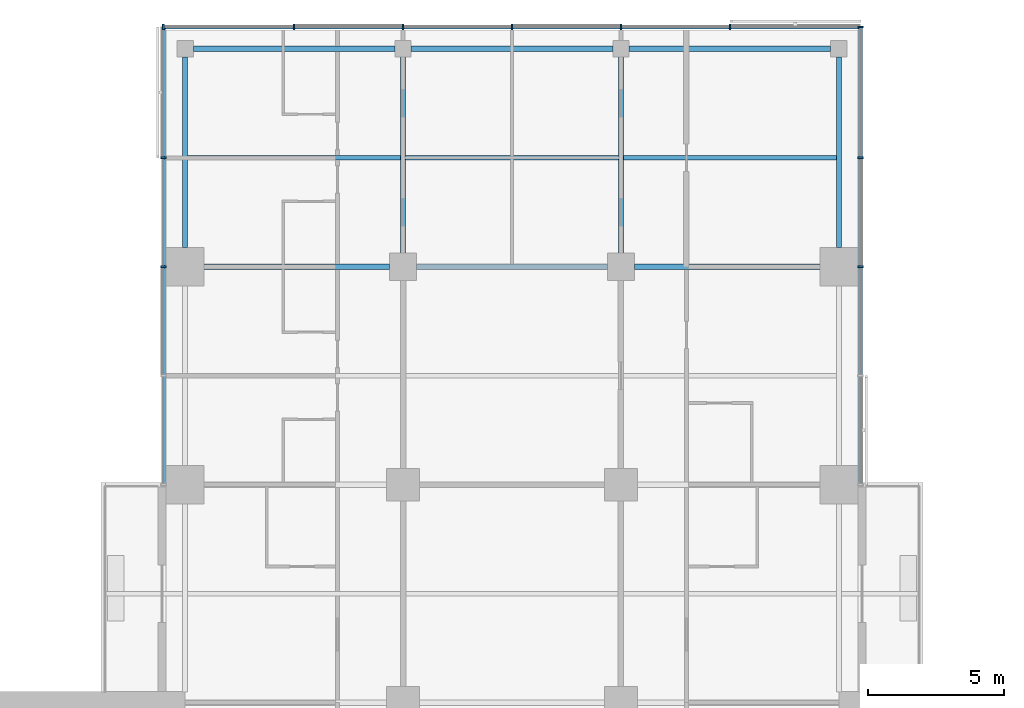
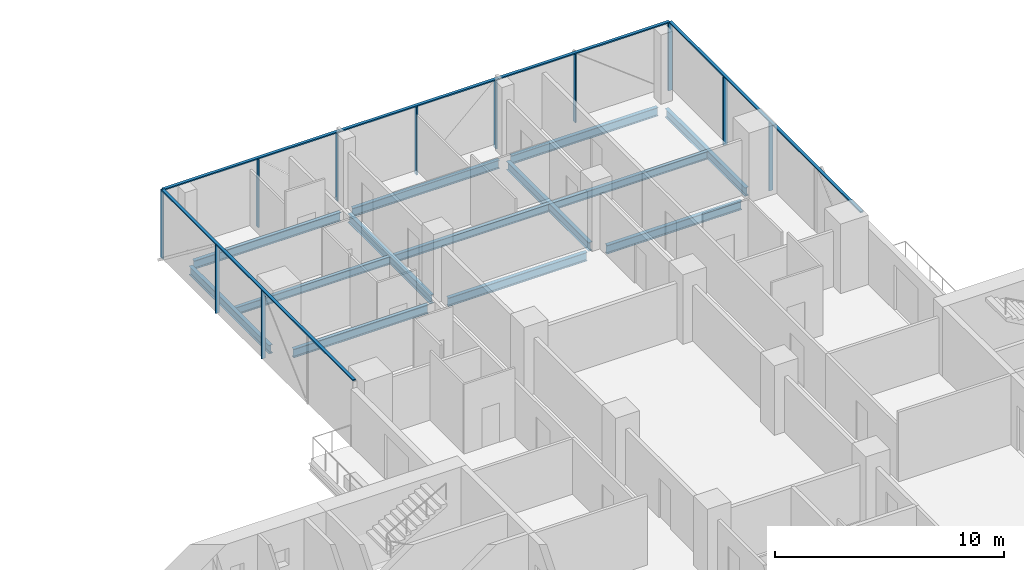
# One storey, part 12 of 27: 14 members, 13 beams, 3 elements without a shape of their own.
"""IFC4 building model written with IfcOpenShell, lengths in metres."""

from ifc_helpers import new_model, si_unit, direction, frame, origin, origin_2d, place, context, subcontext, project, spatial, rectangle, i_section, extrude, material, material_profile, profile_set, type_object, element, aggregate, save


model = new_model("IFC4")

# Units and contexts
model_context = context("Model", 3, precision=1e-05, world=origin(), true_north=direction((0.0, 1.0)))
body_context = subcontext(model_context, "Body", "Model", "MODEL_VIEW")
ifc_project = project(units=[si_unit("LENGTHUNIT", "METRE"), si_unit("AREAUNIT", "SQUARE_METRE"), si_unit("VOLUMEUNIT", "CUBIC_METRE"), si_unit("PLANEANGLEUNIT", "RADIAN"), si_unit("MASSUNIT", "GRAM", prefix="KILO")], contexts=[model_context])

# Site, building, storey
site_placement = place(None, origin())
site = spatial("IfcSite", under=ifc_project, at=site_placement, CompositionType="ELEMENT")
building_placement = place(site_placement, origin())
building = spatial("IfcBuilding", under=site, at=building_placement, Name="Crosswind Convention Tower", CompositionType="ELEMENT")
storey_placement = place(building_placement, frame((0.0, 0.0, 94.199951171875)))
storey = spatial("IfcBuildingStorey", under=building, at=storey_placement, Name="L18", CompositionType="ELEMENT", Elevation=94.199951171875)

# Beams
ifc_material_1 = material(Name="Steel S355", Category="steel")
ifc_material_profile_1 = material_profile(ifc_material_1, i_section(OverallWidth=0.1904296875, OverallDepth=0.457275390625, WebThickness=0.009033203125, FlangeThickness=0.014404296875, FilletRadius=0.01025390625, at=origin_2d()), Name="UB 457x191x75")
ifc_profile_set_1 = profile_set([ifc_material_profile_1], Name="Steel S355")
beam_type_1 = type_object("IfcBeamType", Name="Edge beam UB 457x191x75", PredefinedType="SPANDREL", material=ifc_profile_set_1)
beam_1_placement = place(storey_placement, frame((113.0, 128.699951171875, -0.508544921875), z_axis=(0.0, 1.0, 0.0), x_axis=(-1.0, 0.0, 0.0)))
element("IfcBeam", 1, at=beam_1_placement, inside=storey, type_object=beam_type_1, Name="B17 L18 edge beam 11", PredefinedType="SPANDREL", context=body_context, shape_type="SweptSolid", body=[
    extrude(i_section(OverallWidth=0.1904296875, OverallDepth=0.457275390625, WebThickness=0.009033203125, FlangeThickness=0.014404296875, FilletRadius=0.01025390625, at=origin_2d()), origin(), (0.0, 0.0, 1.0), 7.0),
])
for number, where, z_axis, x_axis, name in (
    (2, (113.300048828125, 136.0, -0.508544921875), (1.0, 0.0, 0.0), (0.0, 1.0, 0.0), "B17 L18 edge beam 13"),
    (3, (121.300048828125, 136.0, -0.508544921875), (1.0, 0.0, 0.0), (0.0, 1.0, 0.0), "B17 L18 edge beam 15"),
    (4, (129.300048828125, 136.0, -0.508544921875), (1.0, 0.0, 0.0), (0.0, 1.0, 0.0), "B17 L18 edge beam 17"),
):
    element("IfcBeam", number, at=place(storey_placement, frame(where, z_axis=z_axis, x_axis=x_axis)), inside=storey, type_object=beam_type_1, Name=name, PredefinedType="SPANDREL", context=body_context, shape_type="SweptSolid", body=[
        extrude(i_section(OverallWidth=0.1904296875, OverallDepth=0.457275390625, WebThickness=0.009033203125, FlangeThickness=0.014404296875, FilletRadius=0.01025390625, at=origin_2d()), origin(), (0.0, 0.0, 1.0), 7.39990234375),
    ])
beam_2_placement = place(storey_placement, frame((137.0, 128.699951171875, -0.508544921875), z_axis=(0.0, 1.0, 0.0), x_axis=(-1.0, 0.0, 0.0)))
element("IfcBeam", 5, at=beam_2_placement, inside=storey, type_object=beam_type_1, Name="B17 L18 edge beam 23", PredefinedType="SPANDREL", context=body_context, shape_type="SweptSolid", body=[
    extrude(i_section(OverallWidth=0.1904296875, OverallDepth=0.457275390625, WebThickness=0.009033203125, FlangeThickness=0.014404296875, FilletRadius=0.01025390625, at=origin_2d()), origin(), (0.0, 0.0, 1.0), 7.0),
])
ifc_material_profile_2 = material_profile(ifc_material_1, i_section(OverallWidth=0.19140625, OverallDepth=0.460205078125, WebThickness=0.010009765625, FlangeThickness=0.01611328125, FilletRadius=0.01025390625, at=origin_2d()), Name="UB 457x191x82")
ifc_profile_set_2 = profile_set([ifc_material_profile_2], Name="Steel S355")
beam_type_2 = type_object("IfcBeamType", Name="Girder UB 457x191x82", PredefinedType="BEAM", material=ifc_profile_set_2)
beam_3_placement = place(storey_placement, frame((113.699951171875, 128.0, -0.510009765625), z_axis=(1.0, 0.0, 0.0), x_axis=(0.0, 1.0, 0.0)))
element("IfcBeam", 6, at=beam_3_placement, inside=storey, type_object=beam_type_2, Name="B3 L18 girder 4", PredefinedType="BEAM", context=body_context, shape_type="SweptSolid", body=[
    extrude(i_section(OverallWidth=0.19140625, OverallDepth=0.460205078125, WebThickness=0.010009765625, FlangeThickness=0.01611328125, FilletRadius=0.01025390625, at=origin_2d()), origin(), (0.0, 0.0, 1.0), 6.800048828125),
])
beam_4_placement = place(storey_placement, frame((121.0, 128.5, -0.510009765625), z_axis=(0.0, 1.0, 0.0), x_axis=(-1.0, 0.0, 0.0)))
element("IfcBeam", 7, at=beam_4_placement, inside=storey, type_object=beam_type_2, Name="B3 L18 girder 13", PredefinedType="BEAM", context=body_context, shape_type="SweptSolid", body=[
    extrude(i_section(OverallWidth=0.19140625, OverallDepth=0.460205078125, WebThickness=0.010009765625, FlangeThickness=0.01611328125, FilletRadius=0.01025390625, at=origin_2d()), origin(), (0.0, 0.0, 1.0), 7.199951171875),
])
beam_5_placement = place(storey_placement, frame((121.5, 128.0, -0.510009765625), z_axis=(1.0, 0.0, 0.0), x_axis=(0.0, 1.0, 0.0)))
element("IfcBeam", 8, at=beam_5_placement, inside=storey, type_object=beam_type_2, Name="B3 L18 girder 15", PredefinedType="BEAM", context=body_context, shape_type="SweptSolid", body=[
    extrude(i_section(OverallWidth=0.19140625, OverallDepth=0.460205078125, WebThickness=0.010009765625, FlangeThickness=0.01611328125, FilletRadius=0.01025390625, at=origin_2d()), origin(), (0.0, 0.0, 1.0), 7.0),
])
beam_6_placement = place(storey_placement, frame((129.0, 128.5, -0.510009765625), z_axis=(0.0, 1.0, 0.0), x_axis=(-1.0, 0.0, 0.0)))
element("IfcBeam", 9, at=beam_6_placement, inside=storey, type_object=beam_type_2, Name="B3 L18 girder 30", PredefinedType="BEAM", context=body_context, shape_type="SweptSolid", body=[
    extrude(i_section(OverallWidth=0.19140625, OverallDepth=0.460205078125, WebThickness=0.010009765625, FlangeThickness=0.01611328125, FilletRadius=0.01025390625, at=origin_2d()), origin(), (0.0, 0.0, 1.0), 7.199951171875),
])
beam_7_placement = place(storey_placement, frame((129.5, 128.0, -0.510009765625), z_axis=(1.0, 0.0, 0.0), x_axis=(0.0, 1.0, 0.0)))
element("IfcBeam", 10, at=beam_7_placement, inside=storey, type_object=beam_type_2, Name="B3 L18 girder 32", PredefinedType="BEAM", context=body_context, shape_type="SweptSolid", body=[
    extrude(i_section(OverallWidth=0.19140625, OverallDepth=0.460205078125, WebThickness=0.010009765625, FlangeThickness=0.01611328125, FilletRadius=0.01025390625, at=origin_2d()), origin(), (0.0, 0.0, 1.0), 6.800048828125),
])

# Curtain wall, members
ifc_material_2 = material(Name="Aluminium unitised curtain wall", Category="aluminium")
curtain_wall_type = type_object("IfcCurtainWallType", Name="HOTEL UNITISED WALL 200", PredefinedType="USERDEFINED", material=ifc_material_2)
curtain_wall_1_placement = place(storey_placement, origin())
curtain_wall_1 = element("IfcCurtainWall", 11, at=curtain_wall_1_placement, inside=storey, type_object=curtain_wall_type, Name="CW2 L18 N-E 1", ObjectType="UNITISED", PredefinedType="USERDEFINED")
ifc_material_3 = material(Name="Aluminium mullion", Category="aluminium")
ifc_material_profile_3 = material_profile(ifc_material_3, rectangle(XDim=0.199951171875, YDim=0.06494140625, at=origin_2d()), Name="AL 200X65")
ifc_profile_set_3 = profile_set([ifc_material_profile_3], Name="Aluminium mullion")
member_type_1 = type_object("IfcMemberType", Name="MULLION 65X200", PredefinedType="MULLION", material=ifc_profile_set_3)
member_1_placement = place(storey_placement, frame((137.800048828125, 128.0, -0.280029296875), z_axis=(0.0, 0.0, 1.0), x_axis=(1.0, 0.0, 0.0)))
member_1 = element("IfcMember", 12, at=member_1_placement, type_object=member_type_1, Name="CW2 mullion 3", PredefinedType="MULLION", context=body_context, shape_type="SweptSolid", body=[
    extrude(rectangle(XDim=0.199951171875, YDim=0.06494140625, at=origin_2d()), origin(), (0.0, 0.0, 1.0), 3.635009765625),
])
member_2_placement = place(storey_placement, frame((137.800048828125, 132.0, -0.280029296875), z_axis=(0.0, 0.0, 1.0), x_axis=(1.0, 0.0, 0.0)))
member_2 = element("IfcMember", 13, at=member_2_placement, type_object=member_type_1, Name="CW2 mullion 4", PredefinedType="MULLION", context=body_context, shape_type="SweptSolid", body=[
    extrude(rectangle(XDim=0.199951171875, YDim=0.06494140625, at=origin_2d()), origin(), (0.0, 0.0, 1.0), 3.635009765625),
])
member_3_placement = place(storey_placement, frame((137.800048828125, 136.800048828125, -0.280029296875), z_axis=(0.0, 0.0, 1.0), x_axis=(1.0, 0.0, 0.0)))
member_3 = element("IfcMember", 14, at=member_3_placement, type_object=member_type_1, Name="CW2 mullion 5", PredefinedType="MULLION", context=body_context, shape_type="SweptSolid", body=[
    extrude(rectangle(XDim=0.199951171875, YDim=0.06494140625, at=origin_2d()), origin(), (0.0, 0.0, 1.0), 3.635009765625),
])

curtain_wall_2_placement = place(storey_placement, origin())
curtain_wall_2 = element("IfcCurtainWall", 15, at=curtain_wall_2_placement, inside=storey, type_object=curtain_wall_type, Name="CW2 L18 N-TIP 1", ObjectType="UNITISED", PredefinedType="USERDEFINED")
member_4_placement = place(storey_placement, frame((133.0, 136.800048828125, -0.280029296875), z_axis=(0.0, 0.0, 1.0), x_axis=(0.0, 1.0, 0.0)))
member_4 = element("IfcMember", 16, at=member_4_placement, type_object=member_type_1, Name="CW2 mullion 2", PredefinedType="MULLION", context=body_context, shape_type="SweptSolid", body=[
    extrude(rectangle(XDim=0.199951171875, YDim=0.06494140625, at=origin_2d()), origin(), (0.0, 0.0, 1.0), 3.635009765625),
])
member_5_placement = place(storey_placement, frame((129.0, 136.800048828125, -0.280029296875), z_axis=(0.0, 0.0, 1.0), x_axis=(0.0, 1.0, 0.0)))
member_5 = element("IfcMember", 17, at=member_5_placement, type_object=member_type_1, Name="CW2 mullion 3", PredefinedType="MULLION", context=body_context, shape_type="SweptSolid", body=[
    extrude(rectangle(XDim=0.199951171875, YDim=0.06494140625, at=origin_2d()), origin(), (0.0, 0.0, 1.0), 3.635009765625),
])
member_6_placement = place(storey_placement, frame((125.0, 136.800048828125, -0.280029296875), z_axis=(0.0, 0.0, 1.0), x_axis=(0.0, 1.0, 0.0)))
member_6 = element("IfcMember", 18, at=member_6_placement, type_object=member_type_1, Name="CW2 mullion 4", PredefinedType="MULLION", context=body_context, shape_type="SweptSolid", body=[
    extrude(rectangle(XDim=0.199951171875, YDim=0.06494140625, at=origin_2d()), origin(), (0.0, 0.0, 1.0), 3.635009765625),
])
member_7_placement = place(storey_placement, frame((121.0, 136.800048828125, -0.280029296875), z_axis=(0.0, 0.0, 1.0), x_axis=(0.0, 1.0, 0.0)))
member_7 = element("IfcMember", 19, at=member_7_placement, type_object=member_type_1, Name="CW2 mullion 5", PredefinedType="MULLION", context=body_context, shape_type="SweptSolid", body=[
    extrude(rectangle(XDim=0.199951171875, YDim=0.06494140625, at=origin_2d()), origin(), (0.0, 0.0, 1.0), 3.635009765625),
])
member_8_placement = place(storey_placement, frame((117.0, 136.800048828125, -0.280029296875), z_axis=(0.0, 0.0, 1.0), x_axis=(0.0, 1.0, 0.0)))
member_8 = element("IfcMember", 20, at=member_8_placement, type_object=member_type_1, Name="CW2 mullion 6", PredefinedType="MULLION", context=body_context, shape_type="SweptSolid", body=[
    extrude(rectangle(XDim=0.199951171875, YDim=0.06494140625, at=origin_2d()), origin(), (0.0, 0.0, 1.0), 3.635009765625),
])
member_9_placement = place(storey_placement, frame((112.199951171875, 136.800048828125, -0.280029296875), z_axis=(0.0, 0.0, 1.0), x_axis=(0.0, 1.0, 0.0)))
member_9 = element("IfcMember", 21, at=member_9_placement, type_object=member_type_1, Name="CW2 mullion 7", PredefinedType="MULLION", context=body_context, shape_type="SweptSolid", body=[
    extrude(rectangle(XDim=0.199951171875, YDim=0.06494140625, at=origin_2d()), origin(), (0.0, 0.0, 1.0), 3.635009765625),
])

curtain_wall_3_placement = place(storey_placement, origin())
curtain_wall_3 = element("IfcCurtainWall", 22, at=curtain_wall_3_placement, inside=storey, type_object=curtain_wall_type, Name="CW2 L18 N-W 1", ObjectType="UNITISED", PredefinedType="USERDEFINED")
member_10_placement = place(storey_placement, frame((112.199951171875, 132.0, -0.280029296875), z_axis=(0.0, 0.0, 1.0), x_axis=(-1.0, 0.0, 0.0)))
member_10 = element("IfcMember", 23, at=member_10_placement, type_object=member_type_1, Name="CW2 mullion 2", PredefinedType="MULLION", context=body_context, shape_type="SweptSolid", body=[
    extrude(rectangle(XDim=0.199951171875, YDim=0.06494140625, at=origin_2d()), origin(), (0.0, 0.0, 1.0), 3.635009765625),
])
member_11_placement = place(storey_placement, frame((112.199951171875, 128.0, -0.280029296875), z_axis=(0.0, 0.0, 1.0), x_axis=(-1.0, 0.0, 0.0)))
member_11 = element("IfcMember", 24, at=member_11_placement, type_object=member_type_1, Name="CW2 mullion 3", PredefinedType="MULLION", context=body_context, shape_type="SweptSolid", body=[
    extrude(rectangle(XDim=0.199951171875, YDim=0.06494140625, at=origin_2d()), origin(), (0.0, 0.0, 1.0), 3.635009765625),
])

# Beams
ifc_material_profile_4 = material_profile(ifc_material_1, i_section(OverallWidth=0.177734375, OverallDepth=0.406494140625, WebThickness=0.0078125, FlangeThickness=0.0126953125, FilletRadius=0.01025390625, at=origin_2d()), Name="UB 406x178x60")
ifc_profile_set_4 = profile_set([ifc_material_profile_4], Name="Steel S355")
beam_type_3 = type_object("IfcBeamType", Name="Secondary beam UB 406x178x60", PredefinedType="JOIST", material=ifc_profile_set_4)
beam_8_placement = place(storey_placement, frame((113.09521484375, 132.0, -0.483154296875), z_axis=(1.0, 0.0, 0.0), x_axis=(0.0, 1.0, 0.0)))
element("IfcBeam", 25, at=beam_8_placement, inside=storey, type_object=beam_type_3, Name="B10 L18 secondary beam 12", PredefinedType="JOIST", context=body_context, shape_type="SweptSolid", body=[
    extrude(i_section(OverallWidth=0.177734375, OverallDepth=0.406494140625, WebThickness=0.0078125, FlangeThickness=0.0126953125, FilletRadius=0.01025390625, at=origin_2d()), origin(), (0.0, 0.0, 1.0), 7.80908203125),
])
beam_9_placement = place(storey_placement, frame((121.095703125, 132.0, -0.483154296875), z_axis=(1.0, 0.0, 0.0), x_axis=(0.0, 1.0, 0.0)))
element("IfcBeam", 26, at=beam_9_placement, inside=storey, type_object=beam_type_3, Name="B10 L18 secondary beam 21", PredefinedType="JOIST", context=body_context, shape_type="SweptSolid", body=[
    extrude(i_section(OverallWidth=0.177734375, OverallDepth=0.406494140625, WebThickness=0.0078125, FlangeThickness=0.0126953125, FilletRadius=0.01025390625, at=origin_2d()), origin(), (0.0, 0.0, 1.0), 7.80859375),
])
beam_10_placement = place(storey_placement, frame((129.095703125, 132.0, -0.483154296875), z_axis=(1.0, 0.0, 0.0), x_axis=(0.0, 1.0, 0.0)))
element("IfcBeam", 27, at=beam_10_placement, inside=storey, type_object=beam_type_3, Name="B10 L18 secondary beam 30", PredefinedType="JOIST", context=body_context, shape_type="SweptSolid", body=[
    extrude(i_section(OverallWidth=0.177734375, OverallDepth=0.406494140625, WebThickness=0.0078125, FlangeThickness=0.0126953125, FilletRadius=0.01025390625, at=origin_2d()), origin(), (0.0, 0.0, 1.0), 7.80908203125),
])

# Member
ifc_material_4 = material(Name="Aluminium transom", Category="aluminium")
ifc_material_profile_5 = material_profile(ifc_material_4, rectangle(XDim=0.14990234375, YDim=0.06494140625, at=origin_2d()), Name="AL 150X65")
ifc_profile_set_5 = profile_set([ifc_material_profile_5], Name="Aluminium transom")
member_type_2 = type_object("IfcMemberType", Name="TRANSOM 65X150", PredefinedType="USERDEFINED", material=ifc_profile_set_5)
member_12_placement = place(storey_placement, frame((137.800048828125, 120.032470703125, 3.387451171875), z_axis=(0.0, 1.0, 0.0), x_axis=(-1.0, 0.0, 0.0)))
member_12 = element("IfcMember", 28, at=member_12_placement, type_object=member_type_2, Name="CW2 transom", ObjectType="TRANSOM", PredefinedType="USERDEFINED", context=body_context, shape_type="SweptSolid", body=[
    extrude(rectangle(XDim=0.14990234375, YDim=0.06494140625, at=origin_2d()), origin(), (0.0, 0.0, 1.0), 16.735107421875),
])

aggregate(curtain_wall_1, [member_1, member_2, member_3, member_12])

member_13_placement = place(storey_placement, frame((137.767578125, 136.800048828125, 3.387451171875), z_axis=(-1.0, 0.0, 0.0), x_axis=(0.0, -1.0, 0.0)))
member_13 = element("IfcMember", 29, at=member_13_placement, type_object=member_type_2, Name="CW2 transom", ObjectType="TRANSOM", PredefinedType="USERDEFINED", context=body_context, shape_type="SweptSolid", body=[
    extrude(rectangle(XDim=0.14990234375, YDim=0.06494140625, at=origin_2d()), origin(), (0.0, 0.0, 1.0), 25.53515625),
])

aggregate(curtain_wall_2, [member_4, member_5, member_6, member_7, member_8, member_9, member_13])

member_14_placement = place(storey_placement, frame((112.199951171875, 136.767578125, 3.387451171875), z_axis=(0.0, -1.0, 0.0), x_axis=(1.0, 0.0, 0.0)))
member_14 = element("IfcMember", 30, at=member_14_placement, type_object=member_type_2, Name="CW2 transom", ObjectType="TRANSOM", PredefinedType="USERDEFINED", context=body_context, shape_type="SweptSolid", body=[
    extrude(rectangle(XDim=0.14990234375, YDim=0.06494140625, at=origin_2d()), origin(), (0.0, 0.0, 1.0), 16.735107421875),
])

aggregate(curtain_wall_3, [member_10, member_11, member_14])

save(model, "model.ifc")
